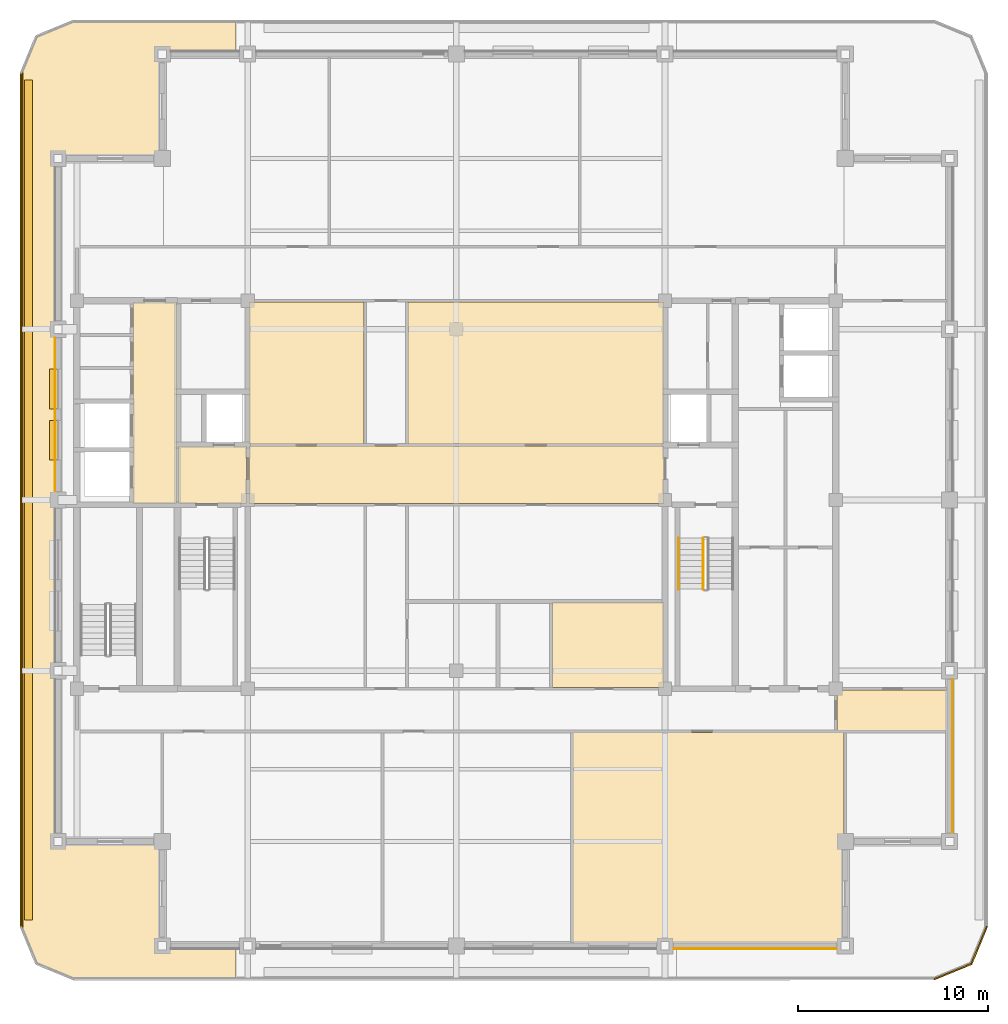
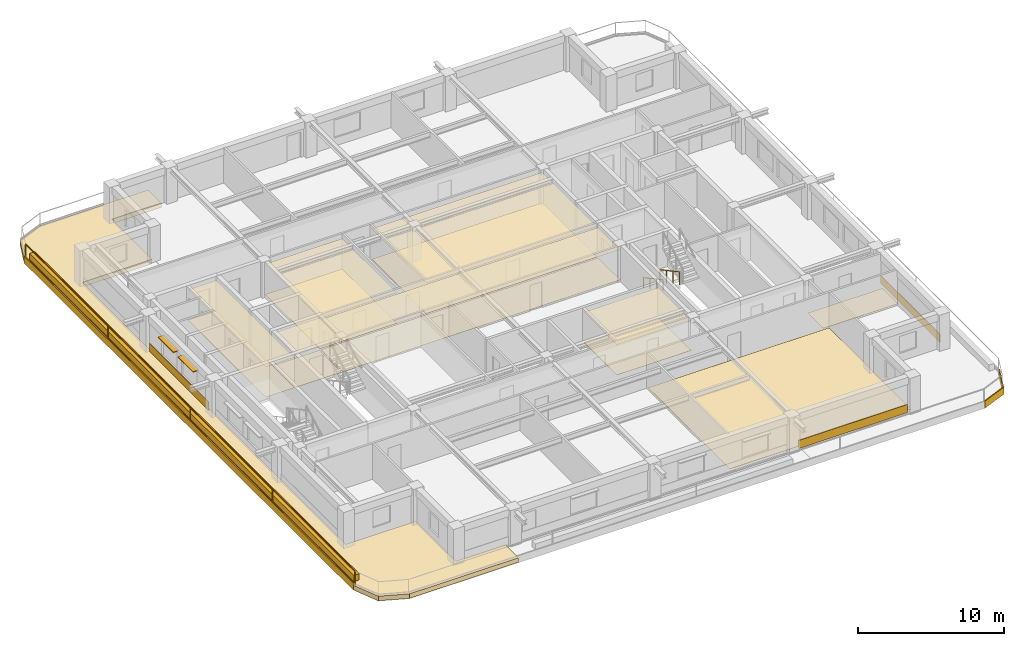
# One storey, part 9 of 11: 22 coverings, 3 railings, 2 shading devices.
"""IFC4 building model written with IfcOpenShell, lengths in metres."""

from ifc_helpers import new_model, si_unit, direction, frame, frame_2d, origin, origin_2d, place, context, subcontext, project, spatial, polyline, rectangle, outline, extrude, material, layer, layer_set, type_object, element, save


model = new_model("IFC4")

# Units and contexts
model_context = context("Model", 3, precision=1e-05, world=origin(), true_north=direction((0.0, 1.0)))
body_context = subcontext(model_context, "Body", "Model", "MODEL_VIEW")
ifc_project = project(units=[si_unit("LENGTHUNIT", "METRE"), si_unit("AREAUNIT", "SQUARE_METRE"), si_unit("VOLUMEUNIT", "CUBIC_METRE"), si_unit("PLANEANGLEUNIT", "RADIAN"), si_unit("MASSUNIT", "GRAM", prefix="KILO")], contexts=[model_context])

# Site, building, storey
site_placement = place(None, origin())
site = spatial("IfcSite", under=ifc_project, at=site_placement, CompositionType="ELEMENT")
building_placement = place(site_placement, origin())
building = spatial("IfcBuilding", under=site, at=building_placement, Name="Zulmaris Gate Convention Tower", CompositionType="ELEMENT")
storey_placement = place(building_placement, frame((0.0, 0.0, 230.050048828125)))
storey = spatial("IfcBuildingStorey", under=building, at=storey_placement, Name="L60", CompositionType="ELEMENT", Elevation=230.050048828125)

# Coverings
ifc_material_1 = material(Name="Precast concrete C40/50", Category="concrete")
ifc_layer_1 = layer(ifc_material_1, 0.0400390625, Name="Precast concrete C40/50")
ifc_layer_set_1 = layer_set([ifc_layer_1], Name="Precast concrete C40/50")
covering_type_1 = type_object("IfcCoveringType", Name="CLAD-SPANDREL-PRECAST", PredefinedType="CLADDING", material=ifc_layer_set_1)
covering_1_placement = place(storey_placement, frame((11.455078125, -23.64990234375, 0.0), z_axis=(0.0, 0.0, 1.0), x_axis=(1.0, 0.0, 0.0)))
element("IfcCovering", 1, at=covering_1_placement, inside=storey, type_object=covering_type_1, Name="CLD-L60-S-3_0", PredefinedType="CLADDING", context=body_context, shape_type="SweptSolid", body=[
    extrude(rectangle(XDim=8.58984375, YDim=0.0400390625, at=frame_2d((4.294921875, 0.0))), origin(), (0.0, 0.0, 1.0), 0.679931640625),
])
for number, where, z_axis, x_axis, name in (
    (2, (26.14990234375, -17.544921875, 0.0), (0.0, 0.0, 1.0), (0.0, 1.0, 0.0), "CLD-L60-E-0_0"),
    (3, (-21.14990234375, 8.544921875, 0.0), (0.0, 0.0, 1.0), (0.0, -1.0, 0.0), "CLD-L60-W-2_0"),
):
    element("IfcCovering", number, at=place(storey_placement, frame(where, z_axis=z_axis, x_axis=x_axis)), inside=storey, type_object=covering_type_1, Name=name, PredefinedType="CLADDING", context=body_context, shape_type="SweptSolid", body=[
        extrude(rectangle(XDim=8.08984375, YDim=0.0400390625, at=frame_2d((4.044921875, 0.0))), origin(), (0.0, 0.0, 1.0), 0.679931640625),
    ])
ifc_material_2 = material(Name="White Glazed Architectural Precast Concrete C40/50", Category="concrete")
ifc_layer_2 = layer(ifc_material_2, 0.239990234375, Name="White Glazed Architectural Precast Concrete C40/50")
ifc_layer_set_2 = layer_set([ifc_layer_2], Name="White Glazed Architectural Precast Concrete C40/50")
covering_type_2 = type_object("IfcCoveringType", Name="CLAD-TRAY-DECK", PredefinedType="CLADDING", material=ifc_layer_set_2)
covering_2_placement = place(storey_placement, frame((0.0, 0.0, -0.425048828125)))
element("IfcCovering", 4, at=covering_2_placement, inside=storey, type_object=covering_type_2, Name="L60 West Rounded-Fascia Planter Tray Deck", PredefinedType="CLADDING", context=body_context, shape_type="SweptSolid", body=[
    extrude(outline(polyline([(-23.0, 22.5), (-22.179931640625, 24.47998046875), (-20.199951171875, 25.300048828125), (-11.60205078125, 25.300048828125), (-11.60205078125, 23.5), (-15.5, 23.5), (-15.5, 18.0), (-21.0, 18.0), (-21.0, -18.0), (-15.5, -18.0), (-15.5, -23.5), (-11.60205078125, -23.5), (-11.60205078125, -25.300048828125), (-20.199951171875, -25.300048828125), (-22.179931640625, -24.47998046875), (-23.0, -22.5), (-23.0, 22.5)])), origin(), (0.0, 0.0, 1.0), 0.385009765625),
])
ifc_layer_3 = layer(ifc_material_2, 0.080078125, Name="White Glazed Architectural Precast Concrete C40/50")
ifc_layer_set_3 = layer_set([ifc_layer_3], Name="White Glazed Architectural Precast Concrete C40/50")
covering_type_3 = type_object("IfcCoveringType", Name="CLAD-TRAY-FASCIA", PredefinedType="CLADDING", material=ifc_layer_set_3)
covering_3_placement = place(storey_placement, frame((25.184814453125, -25.262939453125, -0.465087890625), z_axis=(0.0, 0.0, 1.0), x_axis=(0.923873803533, 0.382697263049, 0.0)))
element("IfcCovering", 5, at=covering_3_placement, inside=storey, type_object=covering_type_3, Name="FSC-L60-TR-03", PredefinedType="CLADDING", context=body_context, shape_type="SweptSolid", body=[
    extrude(rectangle(XDim=2.142822265625, YDim=0.080078125, at=frame_2d((1.0712890625, 0.0))), origin(), (0.0, 0.0, 1.0), 0.5849609375),
])
covering_4_placement = place(storey_placement, frame((27.142822265625, -24.464599609375, -0.465087890625), z_axis=(0.0, 0.0, 1.0), x_axis=(0.382656984709, 0.923890487046, 0.0)))
element("IfcCovering", 6, at=covering_4_placement, inside=storey, type_object=covering_type_3, Name="FSC-L60-TR-04", PredefinedType="CLADDING", context=body_context, shape_type="SweptSolid", body=[
    extrude(rectangle(XDim=2.14306640625, YDim=0.080078125, at=frame_2d((1.071533203125, 0.0))), origin(), (0.0, 0.0, 1.0), 0.5849609375),
])
covering_5_placement = place(storey_placement, frame((-22.9599609375, 22.5, -0.465087890625), z_axis=(0.0, 0.0, 1.0), x_axis=(0.0, -1.0, 0.0)))
element("IfcCovering", 7, at=covering_5_placement, inside=storey, type_object=covering_type_3, Name="FSC-L60-TR-11", PredefinedType="CLADDING", context=body_context, shape_type="SweptSolid", body=[
    extrude(rectangle(XDim=45.0, YDim=0.080078125, at=frame_2d((22.5, 0.0))), origin(), (0.0, 0.0, 1.0), 0.5849609375),
])
ifc_material_3 = material(Name="Mineral Fibre Acoustic Ceiling Tile")
ifc_layer_4 = layer(ifc_material_3, 0.02001953125, Name="Mineral Fibre Acoustic Ceiling Tile")
ifc_layer_set_4 = layer_set([ifc_layer_4], Name="Mineral Fibre Acoustic Ceiling Tile")
covering_type_4 = type_object("IfcCoveringType", Name="CLG-ACOUSTIC-600", PredefinedType="CEILING", material=ifc_layer_set_4)
covering_6_placement = place(storey_placement, frame((0.0, 0.0, 2.699951171875)))
element("IfcCovering", 8, at=covering_6_placement, inside=storey, type_object=covering_type_4, Name="CLG-L60-R03", PredefinedType="CEILING", context=body_context, shape_type="SweptSolid", body=[
    extrude(outline(polyline([(-14.639892578125, -0.18994140625), (-11.06005859375, -0.18994140625), (-11.06005859375, 2.840087890625), (-14.639892578125, 2.840087890625), (-14.639892578125, -0.18994140625)])), origin(), (0.0, 0.0, 1.0), 0.02001953125),
])
covering_7_placement = place(storey_placement, frame((0.0, 0.0, 2.537841796875)))
element("IfcCovering", 9, at=covering_7_placement, inside=storey, type_object=covering_type_4, Name="CLG-L60-R18", PredefinedType="CEILING", context=body_context, shape_type="SweptSolid", body=[
    extrude(outline(polyline([(-17.0400390625, -0.18994140625), (-14.760009765625, -0.18994140625), (-14.760009765625, 10.43994140625), (-17.0400390625, 10.43994140625), (-17.0400390625, -0.18994140625)])), origin(), (0.0, 0.0, 1.0), 0.02001953125),
])
covering_8_placement = place(storey_placement, frame((0.0, 0.0, 2.537841796875)))
element("IfcCovering", 10, at=covering_8_placement, inside=storey, type_object=covering_type_4, Name="CLG-L60-R33", PredefinedType="CEILING", context=body_context, shape_type="SweptSolid", body=[
    extrude(outline(polyline([(-10.93994140625, -0.18994140625), (10.93994140625, -0.18994140625), (10.93994140625, 2.840087890625), (-10.93994140625, 2.840087890625), (-10.93994140625, -0.18994140625)])), origin(), (0.0, 0.0, 1.0), 0.02001953125),
])
covering_9_placement = place(storey_placement, frame((0.0, 0.0, 2.537841796875)))
element("IfcCovering", 11, at=covering_9_placement, inside=storey, type_object=covering_type_4, Name="CLG-L60-R42", PredefinedType="CEILING", context=body_context, shape_type="SweptSolid", body=[
    extrude(outline(polyline([(-10.93994140625, 2.9599609375), (-4.860107421875, 2.9599609375), (-4.860107421875, 10.43994140625), (-10.93994140625, 10.43994140625), (-10.93994140625, 2.9599609375)])), origin(), (0.0, 0.0, 1.0), 0.02001953125),
])
covering_10_placement = place(storey_placement, frame((0.0, 0.0, 2.537841796875)))
element("IfcCovering", 12, at=covering_10_placement, inside=storey, type_object=covering_type_4, Name="CLG-L60-R43", PredefinedType="CEILING", context=body_context, shape_type="SweptSolid", body=[
    extrude(outline(polyline([(-2.5400390625, 2.9599609375), (10.93994140625, 2.9599609375), (10.93994140625, 10.43994140625), (-2.5400390625, 10.43994140625), (-2.5400390625, 2.9599609375)])), origin(), (0.0, 0.0, 1.0), 0.02001953125),
])
covering_11_placement = place(storey_placement, frame((0.0, 0.0, 2.537841796875)))
element("IfcCovering", 13, at=covering_11_placement, inside=storey, type_object=covering_type_4, Name="CLG-L60-R48", PredefinedType="CEILING", context=body_context, shape_type="SweptSolid", body=[
    extrude(outline(polyline([(5.06005859375, -9.889892578125), (10.93994140625, -9.889892578125), (10.93994140625, -5.409912109375), (5.06005859375, -5.409912109375), (5.06005859375, -9.889892578125)])), origin(), (0.0, 0.0, 1.0), 0.02001953125),
])
ifc_material_4 = material(Name="Woven Acoustic Wool Carpet Tile")
ifc_layer_5 = layer(ifc_material_4, 0.02001953125, Name="Woven Acoustic Wool Carpet Tile")
ifc_layer_set_5 = layer_set([ifc_layer_5], Name="Woven Acoustic Wool Carpet Tile")
covering_type_5 = type_object("IfcCoveringType", Name="FLR-CARPET-12", PredefinedType="FLOORING", material=ifc_layer_set_5)
covering_12_placement = place(storey_placement, origin())
element("IfcCovering", 14, at=covering_12_placement, inside=storey, type_object=covering_type_5, Name="FLR-L60-R03", PredefinedType="FLOORING", context=body_context, shape_type="SweptSolid", body=[
    extrude(outline(polyline([(-14.639892578125, -0.18994140625), (-11.06005859375, -0.18994140625), (-11.06005859375, 2.840087890625), (-14.639892578125, 2.840087890625), (-14.639892578125, -0.18994140625)])), origin(), (0.0, 0.0, 1.0), 0.02001953125),
])
covering_13_placement = place(storey_placement, origin())
element("IfcCovering", 15, at=covering_13_placement, inside=storey, type_object=covering_type_5, Name="FLR-L60-R18", PredefinedType="FLOORING", context=body_context, shape_type="SweptSolid", body=[
    extrude(outline(polyline([(-17.0400390625, -0.18994140625), (-14.760009765625, -0.18994140625), (-14.760009765625, 10.43994140625), (-17.0400390625, 10.43994140625), (-17.0400390625, -0.18994140625)])), origin(), (0.0, 0.0, 1.0), 0.02001953125),
])
covering_14_placement = place(storey_placement, origin())
element("IfcCovering", 16, at=covering_14_placement, inside=storey, type_object=covering_type_5, Name="FLR-L60-R33", PredefinedType="FLOORING", context=body_context, shape_type="SweptSolid", body=[
    extrude(outline(polyline([(-10.93994140625, -0.18994140625), (10.93994140625, -0.18994140625), (10.93994140625, 2.840087890625), (-10.93994140625, 2.840087890625), (-10.93994140625, -0.18994140625)])), origin(), (0.0, 0.0, 1.0), 0.02001953125),
])
covering_15_placement = place(storey_placement, origin())
element("IfcCovering", 17, at=covering_15_placement, inside=storey, type_object=covering_type_5, Name="FLR-L60-R41", PredefinedType="FLOORING", context=body_context, shape_type="SweptSolid", body=[
    extrude(outline(polyline([(6.159912109375, -23.43994140625), (20.43994140625, -23.43994140625), (20.43994140625, -12.260009765625), (6.159912109375, -12.260009765625), (6.159912109375, -23.43994140625)])), origin(), (0.0, 0.0, 1.0), 0.02001953125),
])
covering_16_placement = place(storey_placement, origin())
element("IfcCovering", 18, at=covering_16_placement, inside=storey, type_object=covering_type_5, Name="FLR-L60-R43", PredefinedType="FLOORING", context=body_context, shape_type="SweptSolid", body=[
    extrude(outline(polyline([(-2.5400390625, 2.9599609375), (10.93994140625, 2.9599609375), (10.93994140625, 10.43994140625), (-2.5400390625, 10.43994140625), (-2.5400390625, 2.9599609375)])), origin(), (0.0, 0.0, 1.0), 0.02001953125),
])
covering_17_placement = place(storey_placement, origin())
element("IfcCovering", 19, at=covering_17_placement, inside=storey, type_object=covering_type_5, Name="FLR-L60-R48", PredefinedType="FLOORING", context=body_context, shape_type="SweptSolid", body=[
    extrude(outline(polyline([(5.06005859375, -9.889892578125), (10.93994140625, -9.889892578125), (10.93994140625, -5.409912109375), (5.06005859375, -5.409912109375), (5.06005859375, -9.889892578125)])), origin(), (0.0, 0.0, 1.0), 0.02001953125),
])
covering_18_placement = place(storey_placement, origin())
element("IfcCovering", 20, at=covering_18_placement, inside=storey, type_object=covering_type_5, Name="FLR-L60-R50", PredefinedType="FLOORING", context=body_context, shape_type="SweptSolid", body=[
    extrude(outline(polyline([(20.06005859375, -12.139892578125), (25.93994140625, -12.139892578125), (25.93994140625, -10.010009765625), (20.06005859375, -10.010009765625), (20.06005859375, -12.139892578125)])), origin(), (0.0, 0.0, 1.0), 0.02001953125),
])
ifc_material_5 = material(Name="Polished Granite Terrazzo Tile", Category="masonry")
ifc_layer_6 = layer(ifc_material_5, 0.02001953125, Name="Polished Granite Terrazzo Tile")
ifc_layer_set_6 = layer_set([ifc_layer_6], Name="Polished Granite Terrazzo Tile")
covering_type_6 = type_object("IfcCoveringType", Name="FLR-TERRAZZO-30", PredefinedType="FLOORING", material=ifc_layer_set_6)
covering_19_placement = place(storey_placement, origin())
element("IfcCovering", 21, at=covering_19_placement, inside=storey, type_object=covering_type_6, Name="FLR-L60-R42", PredefinedType="FLOORING", context=body_context, shape_type="SweptSolid", body=[
    extrude(outline(polyline([(-10.93994140625, 2.9599609375), (-4.860107421875, 2.9599609375), (-4.860107421875, 10.43994140625), (-10.93994140625, 10.43994140625), (-10.93994140625, 2.9599609375)])), origin(), (0.0, 0.0, 1.0), 0.02001953125),
])
ifc_material_6 = material(Name="Botanical Green Glazed Precast Concrete C40/50", Category="concrete")
ifc_layer_7 = layer(ifc_material_6, 0.419921875, Name="Botanical Green Glazed Precast Concrete C40/50")
ifc_layer_set_7 = layer_set([ifc_layer_7], Name="Botanical Green Glazed Precast Concrete C40/50")
covering_type_7 = type_object("IfcCoveringType", Name="PLANTER-BOX-200", PredefinedType="CLADDING", material=ifc_layer_set_7)
covering_20_placement = place(storey_placement, frame((0.0, 0.0, -0.0400390625)))
element("IfcCovering", 22, at=covering_20_placement, inside=storey, type_object=covering_type_7, Name="L60 W Full-Length Balcony Tree Planter Trough", PredefinedType="CLADDING", context=body_context, shape_type="SweptSolid", body=[
    extrude(outline(polyline([(-22.760009765625, -22.14990234375), (-22.340087890625, -22.14990234375), (-22.340087890625, 22.14990234375), (-22.760009765625, 22.14990234375), (-22.760009765625, -22.14990234375)])), origin(), (0.0, 0.0, 1.0), 0.52001953125),
])

# Railings
ifc_material_7 = material(Name="Laminated Glass and Stainless Steel", Category="steel")
railing_type_1 = type_object("IfcRailingType", Name="RL-BALC-1150", PredefinedType="BALUSTRADE", material=ifc_material_7)
railing_1_placement = place(storey_placement, frame((-22.8798828125, 22.5, -0.0400390625)))
element("IfcRailing", 23, at=railing_1_placement, inside=storey, type_object=railing_type_1, Name="RL-L60-BALC-W", PredefinedType="BALUSTRADE", context=body_context, shape_type="SweptSolid", body=[
    extrude(rectangle(XDim=0.048095703125, YDim=0.048095703125, at=origin_2d()), frame((0.0, 0.0, 1.1259765625), z_axis=(0.0, -1.0, 0.0), x_axis=(1.0, 0.0, 0.0)), (0.0, 0.0, 1.0), 45.0),
    extrude(rectangle(XDim=0.048095703125, YDim=0.048095703125, at=origin_2d()), frame((0.0, 0.0, 0.02392578125), z_axis=(0.0, -1.0, 0.0), x_axis=(1.0, 0.0, 0.0)), (0.0, 0.0, 1.0), 45.0),
    extrude(rectangle(XDim=0.0419921875, YDim=0.0419921875, at=origin_2d()), origin(), (0.0, 0.0, 1.0), 1.101806640625),
    extrude(rectangle(XDim=0.0419921875, YDim=0.0419921875, at=origin_2d()), frame((0.0, -11.25, 0.0)), (0.0, 0.0, 1.0), 1.101806640625),
    extrude(rectangle(XDim=0.0419921875, YDim=0.0419921875, at=origin_2d()), frame((0.0, -22.5, 0.0)), (0.0, 0.0, 1.0), 1.101806640625),
    extrude(rectangle(XDim=0.0419921875, YDim=0.0419921875, at=origin_2d()), frame((0.0, -33.75, 0.0)), (0.0, 0.0, 1.0), 1.101806640625),
    extrude(rectangle(XDim=0.0419921875, YDim=0.0419921875, at=origin_2d()), frame((0.0, -45.0, 0.0)), (0.0, 0.0, 1.0), 1.101806640625),
])
ifc_material_8 = material(Name="Painted Galvanised Steel", Category="steel")
railing_type_2 = type_object("IfcRailingType", Name="RL-STG-1150", PredefinedType="GUARDRAIL", material=ifc_material_8)
railing_2_placement = place(storey_placement, frame((13.010009765625, -2.0, 0.161376953125)))
element("IfcRailing", 24, at=railing_2_placement, inside=storey, type_object=railing_type_2, Name="L60 ST-2 stair guard 1", PredefinedType="GUARDRAIL", context=body_context, shape_type="SweptSolid", body=[
    extrude(rectangle(XDim=0.048095703125, YDim=0.048095703125, at=origin_2d()), frame((0.0, 0.0, 1.076171875), z_axis=(0.0, -0.880499220447, 0.474047595492), x_axis=(1.0, 0.0, 0.0)), (0.0, 0.0, 1.0), 3.06640625),
    extrude(rectangle(XDim=0.0419921875, YDim=0.0419921875, at=origin_2d()), origin(), (0.0, 0.0, 1.0), 1.052001953125),
    extrude(rectangle(XDim=0.0419921875, YDim=0.0419921875, at=origin_2d()), frame((0.0, -0.89990234375, 0.484619140625)), (0.0, 0.0, 1.0), 1.052001953125),
    extrude(rectangle(XDim=0.0419921875, YDim=0.0419921875, at=origin_2d()), frame((0.0, -1.800048828125, 0.968994140625)), (0.0, 0.0, 1.0), 1.052001953125),
    extrude(rectangle(XDim=0.0419921875, YDim=0.0419921875, at=origin_2d()), frame((0.0, -2.699951171875, 1.45361328125)), (0.0, 0.0, 1.0), 1.052001953125),
])
ifc_material_9 = material(Name="Brushed Stainless Steel", Category="steel")
railing_type_3 = type_object("IfcRailingType", Name="RL-STH-900", PredefinedType="HANDRAIL", material=ifc_material_9)
railing_3_placement = place(storey_placement, frame((11.7099609375, -2.0, 0.161376953125)))
element("IfcRailing", 25, at=railing_3_placement, inside=storey, type_object=railing_type_3, Name="L60 ST-2 stair handrail 1", PredefinedType="HANDRAIL", context=body_context, shape_type="SweptSolid", body=[
    extrude(rectangle(XDim=0.048095703125, YDim=0.048095703125, at=origin_2d()), frame((0.0, 0.0, 0.8759765625), z_axis=(0.0, -0.880499220447, 0.474047595492), x_axis=(1.0, 0.0, 0.0)), (0.0, 0.0, 1.0), 3.06640625),
    extrude(rectangle(XDim=0.0419921875, YDim=0.0419921875, at=origin_2d()), origin(), (0.0, 0.0, 1.0), 0.851806640625),
    extrude(rectangle(XDim=0.0419921875, YDim=0.0419921875, at=origin_2d()), frame((0.0, -0.89990234375, 0.484619140625)), (0.0, 0.0, 1.0), 0.851806640625),
    extrude(rectangle(XDim=0.0419921875, YDim=0.0419921875, at=origin_2d()), frame((0.0, -1.800048828125, 0.968994140625)), (0.0, 0.0, 1.0), 0.851806640625),
    extrude(rectangle(XDim=0.0419921875, YDim=0.0419921875, at=origin_2d()), frame((0.0, -2.699951171875, 1.45361328125)), (0.0, 0.0, 1.0), 0.851806640625),
])

# Shading devices
ifc_material_10 = material(Name="Glazed Ceramic Terracotta", Category="masonry")
ifc_layer_8 = layer(ifc_material_10, 0.070068359375, Name="Glazed Ceramic Terracotta")
ifc_layer_set_8 = layer_set([ifc_layer_8], Name="Glazed Ceramic Terracotta")
shading_device_type = type_object("IfcShadingDeviceType", Name="SHD-SUNSHADE-TC", PredefinedType="AWNING", material=ifc_layer_set_8)
for number, where, z_axis, x_axis, name in (
    (26, (-21.219970703125, 6.89794921875, 2.22998046875), (0.0, 0.0, 1.0), (0.0, -1.0, 0.0), "SHD-EW-L60-W-2_0-1"),
    (27, (-21.219970703125, 4.201904296875, 2.22998046875), (0.0, 0.0, 1.0), (0.0, -1.0, 0.0), "SHD-EW-L60-W-2_0-2"),
):
    element("IfcShadingDevice", number, at=place(storey_placement, frame(where, z_axis=z_axis, x_axis=x_axis)), inside=storey, type_object=shading_device_type, Name=name, PredefinedType="AWNING", context=body_context, shape_type="SweptSolid", body=[
        extrude(rectangle(XDim=2.099853515625, YDim=0.43994140625, at=frame_2d((1.0498046875, 0.0))), origin(), (0.0, 0.0, 1.0), 0.070068359375),
    ])

save(model, "model.ifc")
